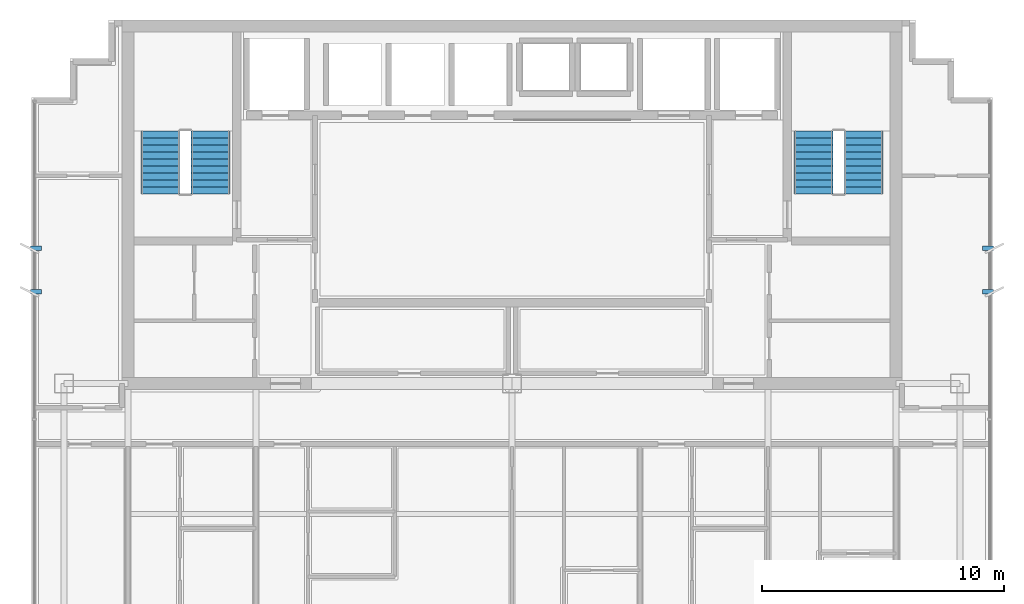
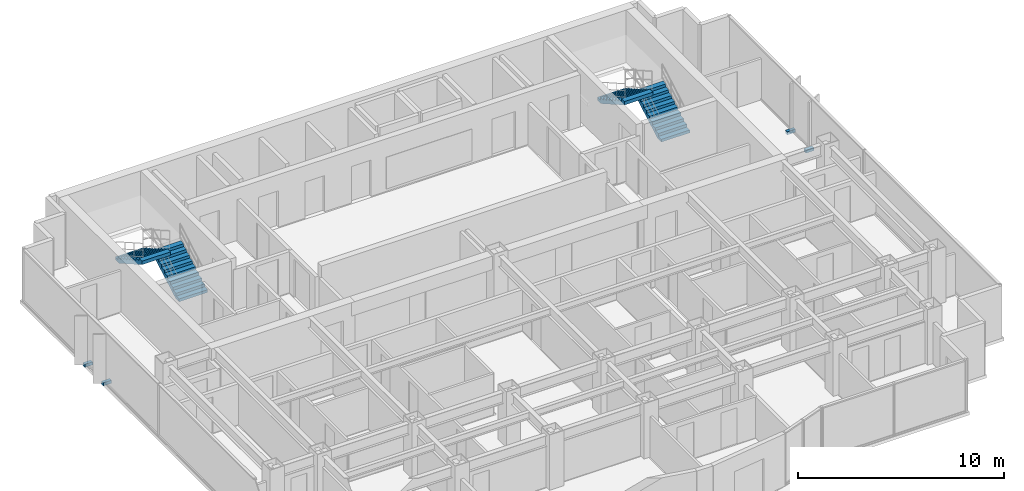
# One storey, part 10 of 12: 4 discrete accessories, 4 stair flights, 2 elements without a shape of their own.
"""IFC4 building model written with IfcOpenShell, lengths in metres."""

from ifc_helpers import new_model, si_unit, direction, frame, origin, origin_2d, place, context, subcontext, project, spatial, polyline, rectangle, outline, extrude, source, transform, mapped, material, type_object, element, aggregate, save


model = new_model("IFC4")

# Units and contexts
model_context = context("Model", 3, precision=1e-05, world=origin(), true_north=direction((0.0, 1.0)))
body_context = subcontext(model_context, "Body", "Model", "MODEL_VIEW")
ifc_project = project(units=[si_unit("LENGTHUNIT", "METRE"), si_unit("AREAUNIT", "SQUARE_METRE"), si_unit("VOLUMEUNIT", "CUBIC_METRE"), si_unit("PLANEANGLEUNIT", "RADIAN"), si_unit("MASSUNIT", "GRAM", prefix="KILO")], contexts=[model_context])

# Site, building, storey
site_placement = place(None, origin())
site = spatial("IfcSite", under=ifc_project, at=site_placement, CompositionType="ELEMENT")
building_placement = place(site_placement, origin())
building = spatial("IfcBuilding", under=site, at=building_placement, Name="Qianlan Lanfeng Residences", CompositionType="ELEMENT")
storey_placement = place(building_placement, frame((0.0, 0.0, 200.0)))
storey = spatial("IfcBuildingStorey", under=building, at=storey_placement, Name="L54", CompositionType="ELEMENT", Elevation=200.0)

# Stair, stair flights
ifc_material_1 = material(Name="Concrete C42", Category="concrete")
stair_type = type_object("IfcStairType", Name="STR-MAIN", PredefinedType="HALF_TURN_STAIR", material=ifc_material_1)
stair_1_placement = place(storey_placement, origin())
stair_1 = element("IfcStair", 1, at=stair_1_placement, inside=storey, type_object=stair_type, Name="L54 Exit Stair ST-1", PredefinedType="HALF_TURN_STAIR")
stair_flight_type = type_object("IfcStairFlightType", Name="FLT-1720", PredefinedType="STRAIGHT", material=ifc_material_1)
stair_flight_1_placement = place(storey_placement, frame((14.02001953125, 33.050048828125, 0.0), z_axis=(0.0, 0.0, 1.0), x_axis=(0.0, 1.0, 0.0)))
stair_flight_1 = element("IfcStairFlight", 2, at=stair_flight_1_placement, type_object=stair_flight_type, Name="ST-1 flight 1", NumberOfRisers=10, NumberOfTreads=9, PredefinedType="STRAIGHT", RiserHeight=0.165, TreadLength=0.29, context=body_context, shape_type="SweptSolid", body=[
    extrude(outline(polyline([(0.0, 0.0), (0.0, 0.1650390625), (0.2900390625, 0.1650390625), (0.2900390625, 0.330078125), (0.580078125, 0.330078125), (0.580078125, 0.4951171875), (0.8701171875, 0.4951171875), (0.8701171875, 0.659912109375), (1.159912109375, 0.659912109375), (1.159912109375, 0.824951171875), (1.449951171875, 0.824951171875), (1.449951171875, 0.989990234375), (1.739990234375, 0.989990234375), (1.739990234375, 1.155029296875), (2.030029296875, 1.155029296875), (2.030029296875, 1.320068359375), (2.320068359375, 1.320068359375), (2.320068359375, 1.485107421875), (2.610107421875, 1.485107421875), (2.610107421875, 1.64990234375), (2.610107421875, 1.278076171875), (0.36376953125, 0.0), (0.0, 0.0)])), frame((0.0, 0.800048828125, 0.0), z_axis=(0.0, -1.0, 0.0), x_axis=(1.0, 0.0, 0.0)), (0.0, 0.0, 1.0), 1.60009765625),
])
stair_flight_2_placement = place(storey_placement, frame((11.93994140625, 35.659912109375, 1.64990234375), z_axis=(0.0, 0.0, 1.0), x_axis=(0.0, -1.0, 0.0)))
stair_flight_2 = element("IfcStairFlight", 3, at=stair_flight_2_placement, type_object=stair_flight_type, Name="ST-1 flight 2", NumberOfRisers=10, NumberOfTreads=9, PredefinedType="STRAIGHT", RiserHeight=0.165, TreadLength=0.29, context=body_context, shape_type="SweptSolid", body=[
    extrude(outline(polyline([(0.0, 0.0), (0.0, 0.1650390625), (0.2900390625, 0.1650390625), (0.2900390625, 0.330078125), (0.580078125, 0.330078125), (0.580078125, 0.4951171875), (0.8701171875, 0.4951171875), (0.8701171875, 0.659912109375), (1.159912109375, 0.659912109375), (1.159912109375, 0.824951171875), (1.449951171875, 0.824951171875), (1.449951171875, 0.989990234375), (1.739990234375, 0.989990234375), (1.739990234375, 1.155029296875), (2.030029296875, 1.155029296875), (2.030029296875, 1.320068359375), (2.320068359375, 1.320068359375), (2.320068359375, 1.485107421875), (2.610107421875, 1.485107421875), (2.610107421875, 1.64990234375), (2.610107421875, 1.278076171875), (0.36376953125, 0.0), (0.0, 0.0)])), frame((0.0, 0.800048828125, 0.0), z_axis=(0.0, -1.0, 0.0), x_axis=(1.0, 0.0, 0.0)), (0.0, 0.0, 1.0), 1.60009765625),
])
aggregate(stair_1, [stair_flight_1, stair_flight_2])

stair_2_placement = place(storey_placement, origin())
stair_2 = element("IfcStair", 4, at=stair_2_placement, inside=storey, type_object=stair_type, Name="L54 Exit Stair ST-2", PredefinedType="HALF_TURN_STAIR")
stair_flight_3_placement = place(storey_placement, frame((41.06005859375, 33.050048828125, 0.0), z_axis=(0.0, 0.0, 1.0), x_axis=(0.0, 1.0, 0.0)))
stair_flight_3 = element("IfcStairFlight", 5, at=stair_flight_3_placement, type_object=stair_flight_type, Name="ST-2 flight 1", NumberOfRisers=10, NumberOfTreads=9, PredefinedType="STRAIGHT", RiserHeight=0.165, TreadLength=0.29, context=body_context, shape_type="SweptSolid", body=[
    extrude(outline(polyline([(0.0, 0.0), (0.0, 0.1650390625), (0.2900390625, 0.1650390625), (0.2900390625, 0.330078125), (0.580078125, 0.330078125), (0.580078125, 0.4951171875), (0.8701171875, 0.4951171875), (0.8701171875, 0.659912109375), (1.159912109375, 0.659912109375), (1.159912109375, 0.824951171875), (1.449951171875, 0.824951171875), (1.449951171875, 0.989990234375), (1.739990234375, 0.989990234375), (1.739990234375, 1.155029296875), (2.030029296875, 1.155029296875), (2.030029296875, 1.320068359375), (2.320068359375, 1.320068359375), (2.320068359375, 1.485107421875), (2.610107421875, 1.485107421875), (2.610107421875, 1.64990234375), (2.610107421875, 1.278076171875), (0.36376953125, 0.0), (0.0, 0.0)])), frame((0.0, 0.800048828125, 0.0), z_axis=(0.0, -1.0, 0.0), x_axis=(1.0, 0.0, 0.0)), (0.0, 0.0, 1.0), 1.60009765625),
])
stair_flight_4_placement = place(storey_placement, frame((38.97998046875, 35.659912109375, 1.64990234375), z_axis=(0.0, 0.0, 1.0), x_axis=(0.0, -1.0, 0.0)))
stair_flight_4 = element("IfcStairFlight", 6, at=stair_flight_4_placement, type_object=stair_flight_type, Name="ST-2 flight 2", NumberOfRisers=10, NumberOfTreads=9, PredefinedType="STRAIGHT", RiserHeight=0.165, TreadLength=0.29, context=body_context, shape_type="SweptSolid", body=[
    extrude(outline(polyline([(0.0, 0.0), (0.0, 0.1650390625), (0.2900390625, 0.1650390625), (0.2900390625, 0.330078125), (0.580078125, 0.330078125), (0.580078125, 0.4951171875), (0.8701171875, 0.4951171875), (0.8701171875, 0.659912109375), (1.159912109375, 0.659912109375), (1.159912109375, 0.824951171875), (1.449951171875, 0.824951171875), (1.449951171875, 0.989990234375), (1.739990234375, 0.989990234375), (1.739990234375, 1.155029296875), (2.030029296875, 1.155029296875), (2.030029296875, 1.320068359375), (2.320068359375, 1.320068359375), (2.320068359375, 1.485107421875), (2.610107421875, 1.485107421875), (2.610107421875, 1.64990234375), (2.610107421875, 1.278076171875), (0.36376953125, 0.0), (0.0, 0.0)])), frame((0.0, 0.800048828125, 0.0), z_axis=(0.0, -1.0, 0.0), x_axis=(1.0, 0.0, 0.0)), (0.0, 0.0, 1.0), 1.60009765625),
])
aggregate(stair_2, [stair_flight_3, stair_flight_4])

# Discrete accessories
ifc_material_2 = material(Name="Stainless Steel Facade Bracket", Category="steel")
discrete_accessory_type = type_object("IfcDiscreteAccessoryType", Name="BRK-SS-350", PredefinedType="BRACKET", material=ifc_material_2)
shared_shape = source(origin(), body_context, "Body", "SweptSolid", [
    extrude(rectangle(XDim=0.449951171875, YDim=0.179931640625, at=origin_2d()), origin(), (0.0, 0.0, 1.0), 0.179931640625),
])
for number, where, z_axis, x_axis, name in (
    (7, (6.800048828125, 29.0, -0.14990234375), (0.0, 0.0, 1.0), (1.0, 0.0, 0.0), "L54 Raked Solar Fin Support Bracket W1"),
    (8, (6.800048828125, 30.800048828125, -0.14990234375), (0.0, 0.0, 1.0), (1.0, 0.0, 0.0), "L54 Raked Solar Fin Support Bracket W2"),
    (9, (46.199951171875, 29.0, -0.14990234375), (0.0, 0.0, 1.0), (1.0, 0.0, 0.0), "L54 Raked Solar Fin Support Bracket E1"),
    (10, (46.199951171875, 30.800048828125, -0.14990234375), (0.0, 0.0, 1.0), (1.0, 0.0, 0.0), "L54 Raked Solar Fin Support Bracket E2"),
):
    element("IfcDiscreteAccessory", number, at=place(storey_placement, frame(where, z_axis=z_axis, x_axis=x_axis)), inside=storey, type_object=discrete_accessory_type, Name=name, PredefinedType="BRACKET", context=body_context, shape_type="MappedRepresentation", body=[
        mapped(shared_shape, transform((0.0, 0.0, 0.0), scale=1.0)),
    ])

save(model, "model.ifc")
